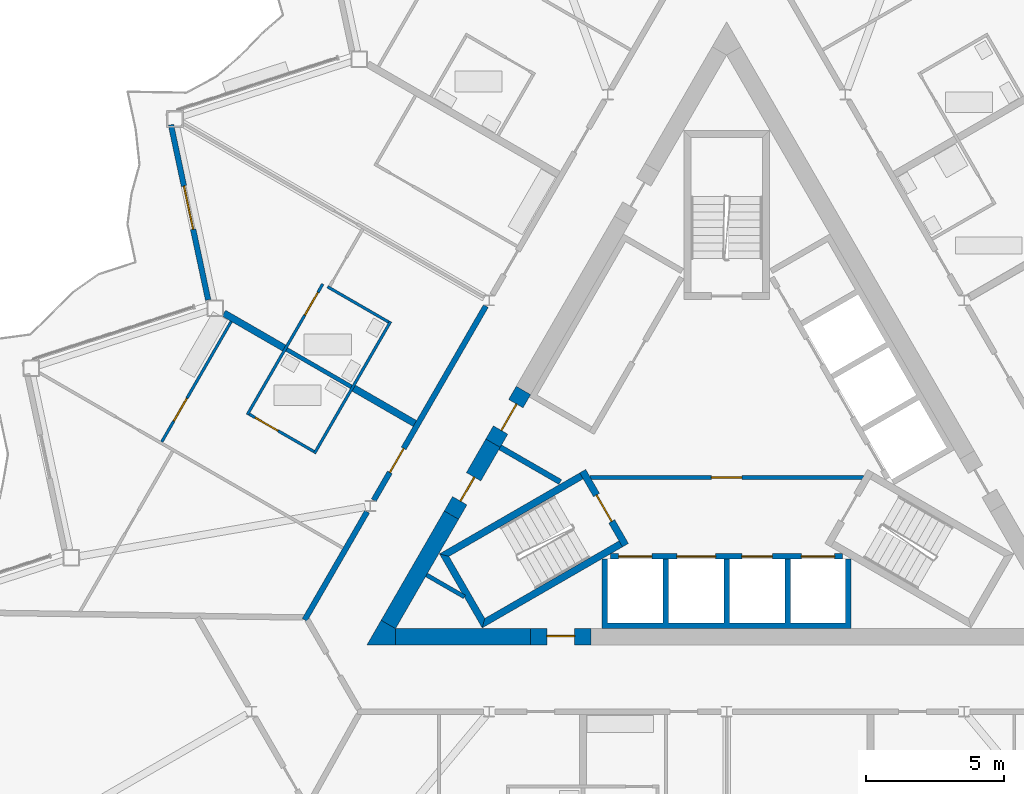
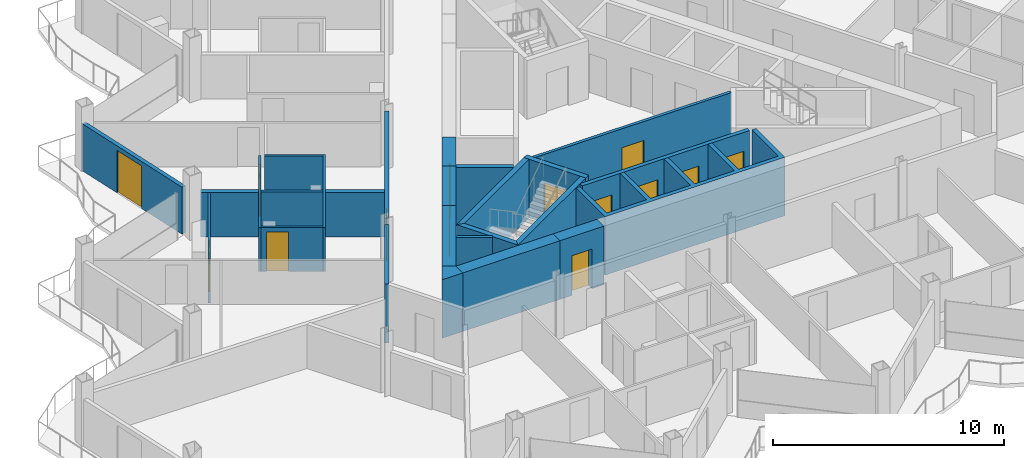
# One storey, part 14 of 26: 26 walls, 14 doors, 14 openings.
"""IFC4 building model written with IfcOpenShell, lengths in metres."""

from ifc_helpers import new_model, si_unit, direction, frame, frame_2d, origin, place, context, subcontext, project, spatial, polyline, rectangle, outline, extrude, material, layer, layer_set, type_object, element, fill, save


model = new_model("IFC4")

# Units and contexts
model_context = context("Model", 3, precision=1e-05, world=origin(), true_north=direction((0.0, 1.0)))
body_context = subcontext(model_context, "Body", "Model", "MODEL_VIEW")
ifc_project = project(units=[si_unit("LENGTHUNIT", "METRE"), si_unit("AREAUNIT", "SQUARE_METRE"), si_unit("VOLUMEUNIT", "CUBIC_METRE"), si_unit("PLANEANGLEUNIT", "RADIAN"), si_unit("MASSUNIT", "GRAM", prefix="KILO")], contexts=[model_context])

# Site, building, storey
site_placement = place(None, origin())
site = spatial("IfcSite", under=ifc_project, at=site_placement, CompositionType="ELEMENT")
building_placement = place(site_placement, origin())
building = spatial("IfcBuilding", under=site, at=building_placement, Name="Cormorant Prow Tower", CompositionType="ELEMENT")
storey_placement = place(building_placement, frame((0.0, 0.0, 322.199951171875)))
storey = spatial("IfcBuildingStorey", under=building, at=storey_placement, Name="L71", CompositionType="ELEMENT", Elevation=322.199951171875)

# Wall, opening, door
ifc_material_1 = material(Name="Gypsum board partition")
ifc_layer_1 = layer(ifc_material_1, 0.14990234375)
ifc_layer_set_1 = layer_set([ifc_layer_1], Name="Gypsum board partition")
wall_type_1 = type_object("IfcWallType", Name="Core partition 150", PredefinedType="PARTITIONING", material=ifc_layer_set_1)
wall_1_placement = place(storey_placement, frame((-4.941162109375, -1.449951171875, 0.0), z_axis=(0.0, 0.0, 1.0), x_axis=(1.0, 0.0, 0.0)))
wall_1 = element("IfcWall", 1, at=wall_1_placement, inside=storey, type_object=wall_type_1, Name="Firefighting lobby partition", PredefinedType="PARTITIONING", context=body_context, shape_type="SweptSolid", body=[
    extrude(rectangle(XDim=9.88232421875, YDim=0.14990234375, at=frame_2d((4.941162109375, 0.0))), origin(), (0.0, 0.0, 1.0), 3.10009765625),
])
opening_1_placement = place(wall_1_placement, frame((4.39111328125, 0.0, 0.0)))
opening_1 = element("IfcOpeningElement", 2, at=opening_1_placement, cuts=wall_1, Name="Opening L71-C10", PredefinedType="OPENING", context=body_context, shape_type="SweptSolid", body=[
    extrude(rectangle(XDim=1.10009765625, YDim=2.10009765625, at=frame_2d((0.550048828125, 1.050048828125))), frame((0.0, 0.0849609375, 0.0), z_axis=(0.0, -1.0, 0.0), x_axis=(1.0, 0.0, 0.0)), (0.0, 0.0, 1.0), 0.169921875),
])
ifc_material_2 = material(Name="Painted steel", Category="steel")
door_type_1 = type_object("IfcDoorType", Name="Firefighting lobby door 1100x2100", OperationType="NOTDEFINED", PredefinedType="DOOR", material=ifc_material_2)
door_1_placement = place(opening_1_placement, origin())
door_1 = element("IfcDoor", 3, at=door_1_placement, inside=storey, type_object=door_type_1, Name="Firefighting lobby door", OperationType="SINGLE_SWING_RIGHT", OverallHeight=2.10009765625, OverallWidth=1.10009765625, PredefinedType="DOOR", context=body_context, shape_type="SweptSolid", body=[
    extrude(rectangle(XDim=1.10009765625, YDim=2.10009765625, at=frame_2d((0.550048828125, 1.050048828125))), frame((0.0, 0.02490234375, 0.0), z_axis=(0.0, -1.0, 0.0), x_axis=(1.0, 0.0, 0.0)), (0.0, 0.0, 1.0), 0.050048828125),
])
fill(opening_1, door_1)

# Walls
wall_2_placement = place(storey_placement, frame((-10.841796875, -4.96728515625, 0.0), z_axis=(0.0, 0.0, 1.0), x_axis=(0.866098216386, -0.499873863663, 0.0)))
element("IfcWall", 4, at=wall_2_placement, inside=storey, type_object=wall_type_1, Name="Service room partition", PredefinedType="PARTITIONING", context=body_context, shape_type="SweptSolid", body=[
    extrude(rectangle(XDim=1.58203125, YDim=0.14990234375, at=frame_2d((0.791015625, 0.0))), origin(), (0.0, 0.0, 1.0), 3.10009765625),
])
ifc_material_3 = material(Name="Concrete 8000 psi", Category="concrete")
ifc_layer_2 = layer(ifc_material_3, 0.60009765625)
ifc_layer_set_2 = layer_set([ifc_layer_2], Name="Concrete 8000 psi")
wall_type_2 = type_object("IfcWallType", Name="Core shear wall 600", PredefinedType="SHEAR", material=ifc_layer_set_2)
wall_3_placement = place(storey_placement, frame((-11.960693359375, -7.20556640625, 0.0), z_axis=(0.0, 0.0, 1.0), x_axis=(1.0, 0.0, 0.0)))
element("IfcWall", 5, at=wall_3_placement, inside=storey, type_object=wall_type_2, Name="Core wall", PredefinedType="SHEAR", context=body_context, shape_type="SweptSolid", body=[
    extrude(rectangle(XDim=4.868408203125, YDim=0.60009765625, at=frame_2d((2.43408203125, 0.0))), origin(), (0.0, 0.0, 1.0), 3.10009765625),
])
wall_4_placement = place(storey_placement, frame((-9.94091796875, -2.80712890625, 0.0), z_axis=(0.0, 0.0, 1.0), x_axis=(-0.500020646047, -0.866013483456, 0.0)))
element("IfcWall", 6, at=wall_4_placement, inside=storey, type_object=wall_type_2, Name="Core wall", PredefinedType="SHEAR", context=body_context, shape_type="SweptSolid", body=[
    extrude(rectangle(XDim=4.559326171875, YDim=0.60009765625, at=frame_2d((2.27978515625, 0.0))), origin(), (0.0, 0.0, 1.0), 3.10009765625),
])
wall_5_placement = place(storey_placement, origin())
element("IfcWall", 7, at=wall_5_placement, inside=storey, type_object=wall_type_2, Name="Core wall corner", PredefinedType="SHEAR", context=body_context, shape_type="SweptSolid", body=[
    extrude(outline(polyline([(-12.48046875, -6.605712890625), (-11.960693359375, -6.905517578125), (-11.960693359375, -7.505615234375), (-13.0, -7.505615234375), (-12.48046875, -6.605712890625)])), origin(), (0.0, 0.0, 1.0), 3.10009765625),
])

# Wall, opening, door
wall_6_placement = place(storey_placement, frame((-7.09228515625, -7.20556640625, 0.0), z_axis=(0.0, 0.0, 1.0), x_axis=(1.0, 0.0, 0.0)))
wall_6 = element("IfcWall", 8, at=wall_6_placement, inside=storey, type_object=wall_type_2, Name="Core wall door panel", PredefinedType="SHEAR", context=body_context, shape_type="SweptSolid", body=[
    extrude(rectangle(XDim=2.2001953125, YDim=0.60009765625, at=frame_2d((1.10009765625, 0.0))), origin(), (0.0, 0.0, 1.0), 3.10009765625),
])
opening_2_placement = place(wall_6_placement, frame((0.60009765625, 0.0, 0.0)))
opening_2 = element("IfcOpeningElement", 9, at=opening_2_placement, cuts=wall_6, Name="Opening L71-C14", PredefinedType="OPENING", context=body_context, shape_type="SweptSolid", body=[
    extrude(rectangle(XDim=1.0, YDim=2.10009765625, at=frame_2d((0.5, 1.050048828125))), frame((0.0, 0.31005859375, 0.0), z_axis=(0.0, -1.0, 0.0), x_axis=(1.0, 0.0, 0.0)), (0.0, 0.0, 1.0), 0.6201171875),
])
ifc_material_4 = material(Name="Painted steel", Category="steel")
door_type_2 = type_object("IfcDoorType", Name="Service door 1000x2100", OperationType="NOTDEFINED", PredefinedType="DOOR", material=ifc_material_4)
door_2_placement = place(opening_2_placement, origin())
door_2 = element("IfcDoor", 10, at=door_2_placement, inside=storey, type_object=door_type_2, Name="Core door, Housekeeping store", OperationType="SINGLE_SWING_LEFT", OverallHeight=2.10009765625, OverallWidth=1.0, PredefinedType="DOOR", context=body_context, shape_type="SweptSolid", body=[
    extrude(rectangle(XDim=1.0, YDim=2.10009765625, at=frame_2d((0.5, 1.050048828125))), frame((0.0, 0.05517578125, 0.0), z_axis=(0.0, -1.0, 0.0), x_axis=(1.0, 0.0, 0.0)), (0.0, 0.0, 1.0), 0.050048828125),
])
fill(opening_2, door_2)

wall_7_placement = place(storey_placement, frame((-8.440185546875, -0.207763671875, 0.0), z_axis=(0.0, 0.0, 1.0), x_axis=(-0.499997052475, -0.866027105532, 0.0)))
wall_7 = element("IfcWall", 11, at=wall_7_placement, inside=storey, type_object=wall_type_2, Name="Core wall door panel", PredefinedType="SHEAR", context=body_context, shape_type="SweptSolid", body=[
    extrude(rectangle(XDim=3.00146484375, YDim=0.60009765625, at=frame_2d((1.500732421875, 0.0))), origin(), (0.0, 0.0, 1.0), 3.10009765625),
])
opening_3_placement = place(wall_7_placement, frame((1.39990234375, 0.0, 0.0)))
opening_3 = element("IfcOpeningElement", 12, at=opening_3_placement, cuts=wall_7, Name="Opening L71-C16", PredefinedType="OPENING", context=body_context, shape_type="SweptSolid", body=[
    extrude(rectangle(XDim=1.0, YDim=2.10009765625, at=frame_2d((0.5, 1.050048828125))), frame((0.0, 0.31005859375, 0.0), z_axis=(0.0, -1.0, 0.0), x_axis=(1.0, 0.0, 0.0)), (0.0, 0.0, 1.0), 0.6201171875),
])
door_3_placement = place(opening_3_placement, origin())
door_3 = element("IfcDoor", 13, at=door_3_placement, inside=storey, type_object=door_type_2, Name="Core door, Linen store", OperationType="SINGLE_SWING_RIGHT", OverallHeight=2.10009765625, OverallWidth=1.0, PredefinedType="DOOR", context=body_context, shape_type="SweptSolid", body=[
    extrude(rectangle(XDim=1.0, YDim=2.10009765625, at=frame_2d((0.5, 1.050048828125))), frame((0.0, 0.05517578125, 0.0), z_axis=(0.0, -1.0, 0.0), x_axis=(1.0, 0.0, 0.0)), (0.0, 0.0, 1.0), 0.050048828125),
])
fill(opening_3, door_3)

wall_8_placement = place(storey_placement, frame((-7.340087890625, 1.697509765625, 0.0), z_axis=(0.0, 0.0, 1.0), x_axis=(-0.50002983664, -0.866008176907, 0.0)))
wall_8 = element("IfcWall", 14, at=wall_8_placement, inside=storey, type_object=wall_type_2, Name="Core wall door panel", PredefinedType="SHEAR", context=body_context, shape_type="SweptSolid", body=[
    extrude(rectangle(XDim=2.199951171875, YDim=0.60009765625, at=frame_2d((1.10009765625, 0.0))), origin(), (0.0, 0.0, 1.0), 3.10009765625),
])
opening_4_placement = place(wall_8_placement, frame((0.550048828125, 0.0, 0.0)))
opening_4 = element("IfcOpeningElement", 15, at=opening_4_placement, cuts=wall_8, Name="Opening L71-C18", PredefinedType="OPENING", context=body_context, shape_type="SweptSolid", body=[
    extrude(rectangle(XDim=1.10009765625, YDim=2.10009765625, at=frame_2d((0.550048828125, 1.050048828125))), frame((0.0, 0.31005859375, 0.0), z_axis=(0.0, -1.0, 0.0), x_axis=(1.0, 0.0, 0.0)), (0.0, 0.0, 1.0), 0.6201171875),
])
ifc_material_5 = material(Name="Painted steel", Category="steel")
door_type_3 = type_object("IfcDoorType", Name="Core door 1100x2100", OperationType="NOTDEFINED", PredefinedType="DOOR", material=ifc_material_5)
door_4_placement = place(opening_4_placement, origin())
door_4 = element("IfcDoor", 16, at=door_4_placement, inside=storey, type_object=door_type_3, Name="Core door, lift lobby", OperationType="SINGLE_SWING_RIGHT", OverallHeight=2.10009765625, OverallWidth=1.10009765625, PredefinedType="DOOR", context=body_context, shape_type="SweptSolid", body=[
    extrude(rectangle(XDim=1.10009765625, YDim=2.10009765625, at=frame_2d((0.550048828125, 1.050048828125))), frame((0.0, 0.05517578125, 0.0), z_axis=(0.0, -1.0, 0.0), x_axis=(1.0, 0.0, 0.0)), (0.0, 0.0, 1.0), 0.050048828125),
])
fill(opening_4, door_4)

ifc_material_6 = material(Name="Gypsum board corridor wall")
ifc_layer_3 = layer(ifc_material_6, 0.199951171875)
ifc_layer_set_3 = layer_set([ifc_layer_3], Name="Gypsum board corridor wall")
wall_type_3 = type_object("IfcWallType", Name="Corridor wall 200", PredefinedType="PARTITIONING", material=ifc_layer_set_3)
wall_9_placement = place(storey_placement, frame((-12.747802734375, -2.268798828125, 0.0), z_axis=(0.0, 0.0, 1.0), x_axis=(0.499984266882, 0.866034487114, 0.0)))
wall_9 = element("IfcWall", 17, at=wall_9_placement, inside=storey, type_object=wall_type_3, Name="Corridor wall", PredefinedType="PARTITIONING", context=body_context, shape_type="SweptSolid", body=[
    extrude(rectangle(XDim=8.098876953125, YDim=0.199951171875, at=frame_2d((4.04931640625, 0.0))), origin(), (0.0, 0.0, 1.0), 3.10009765625),
])
opening_5_placement = place(wall_9_placement, frame((1.16357421875, 0.0, 0.0)))
opening_5 = element("IfcOpeningElement", 18, at=opening_5_placement, cuts=wall_9, Name="Opening L71-F49", PredefinedType="OPENING", context=body_context, shape_type="SweptSolid", body=[
    extrude(rectangle(XDim=1.0, YDim=2.10009765625, at=frame_2d((0.5, 1.050048828125))), frame((0.0, 0.10986328125, 0.0), z_axis=(0.0, -1.0, 0.0), x_axis=(1.0, 0.0, 0.0)), (0.0, 0.0, 1.0), 0.219970703125),
])
ifc_material_7 = material(Name="Timber door leaf", Category="wood")
door_type_4 = type_object("IfcDoorType", Name="Flat or room entrance door 1000x2100", OperationType="NOTDEFINED", PredefinedType="DOOR", material=ifc_material_7)
door_5_placement = place(opening_5_placement, origin())
door_5 = element("IfcDoor", 19, at=door_5_placement, inside=storey, type_object=door_type_4, Name="Living room door", OperationType="SINGLE_SWING_RIGHT", OverallHeight=2.10009765625, OverallWidth=1.0, PredefinedType="DOOR", context=body_context, shape_type="SweptSolid", body=[
    extrude(rectangle(XDim=1.0, YDim=2.10009765625, at=frame_2d((0.5, 1.050048828125))), frame((0.0, 0.02490234375, 0.0), z_axis=(0.0, -1.0, 0.0), x_axis=(1.0, 0.0, 0.0)), (0.0, 0.0, 1.0), 0.050048828125),
])
fill(opening_5, door_5)

# Wall
wall_10_placement = place(storey_placement, frame((-15.243896484375, -6.59228515625, 0.0), z_axis=(0.0, 0.0, 1.0), x_axis=(0.49999094734, 0.866030630277, 0.0)))
element("IfcWall", 20, at=wall_10_placement, inside=storey, type_object=wall_type_3, Name="Corridor wall", PredefinedType="PARTITIONING", context=body_context, shape_type="SweptSolid", body=[
    extrude(rectangle(XDim=4.5126953125, YDim=0.199951171875, at=frame_2d((2.25634765625, 0.0))), origin(), (0.0, 0.0, 1.0), 3.10009765625),
])

# Wall, opening, door
ifc_material_8 = material(Name="Gypsum board partition")
ifc_layer_4 = layer(ifc_material_8, 0.10009765625)
ifc_layer_set_4 = layer_set([ifc_layer_4], Name="Gypsum board partition")
wall_type_4 = type_object("IfcWallType", Name="Internal partition 100", PredefinedType="PARTITIONING", material=ifc_layer_set_4)
wall_11_placement = place(storey_placement, frame((-17.31396484375, 0.822509765625, 0.0), z_axis=(0.0, 0.0, 1.0), x_axis=(0.499988730927, 0.866031909889, 0.0)))
wall_11 = element("IfcWall", 21, at=wall_11_placement, inside=storey, type_object=wall_type_4, Name="Internal partition", PredefinedType="PARTITIONING", context=body_context, shape_type="SweptSolid", body=[
    extrude(rectangle(XDim=5.449951171875, YDim=0.10009765625, at=frame_2d((2.72509765625, 0.0))), origin(), (0.0, 0.0, 1.0), 2.330078125),
])
opening_6_placement = place(wall_11_placement, frame((4.14990234375, 0.0, 0.0)))
opening_6 = element("IfcOpeningElement", 22, at=opening_6_placement, cuts=wall_11, Name="Opening L71-F48", PredefinedType="OPENING", context=body_context, shape_type="SweptSolid", body=[
    extrude(rectangle(XDim=0.949951171875, YDim=2.10009765625, at=frame_2d((0.47509765625, 1.050048828125))), frame((0.0, 0.06005859375, 0.0), z_axis=(0.0, -1.0, 0.0), x_axis=(1.0, 0.0, 0.0)), (0.0, 0.0, 1.0), 0.1201171875),
])
ifc_material_9 = material(Name="Timber door leaf", Category="wood")
door_type_5 = type_object("IfcDoorType", Name="Bathroom door 950x2100", OperationType="NOTDEFINED", PredefinedType="DOOR", material=ifc_material_9)
door_6_placement = place(opening_6_placement, origin())
door_6 = element("IfcDoor", 23, at=door_6_placement, inside=storey, type_object=door_type_5, Name="Bedroom door", OperationType="SINGLE_SWING_RIGHT", OverallHeight=2.10009765625, OverallWidth=0.949951171875, PredefinedType="DOOR", context=body_context, shape_type="SweptSolid", body=[
    extrude(rectangle(XDim=0.949951171875, YDim=2.10009765625, at=frame_2d((0.47509765625, 1.050048828125))), frame((0.0, 0.02490234375, 0.0), z_axis=(0.0, -1.0, 0.0), x_axis=(1.0, 0.0, 0.0)), (0.0, 0.0, 1.0), 0.050048828125),
])
fill(opening_6, door_6)

# Wall
wall_12_placement = place(storey_placement, frame((-14.88916015625, -0.577392578125, 0.0), z_axis=(0.0, 0.0, 1.0), x_axis=(0.500015767406, 0.866016300277, 0.0)))
element("IfcWall", 24, at=wall_12_placement, inside=storey, type_object=wall_type_4, Name="Internal partition", PredefinedType="PARTITIONING", context=body_context, shape_type="SweptSolid", body=[
    extrude(rectangle(XDim=5.499755859375, YDim=0.10009765625, at=frame_2d((2.75, 0.0))), origin(), (0.0, 0.0, 1.0), 2.330078125),
])

# Wall, opening, door
wall_13_placement = place(storey_placement, frame((-20.404541015625, -0.158203125, 0.0), z_axis=(0.0, 0.0, 1.0), x_axis=(0.499989096993, 0.866031698547, 0.0)))
wall_13 = element("IfcWall", 25, at=wall_13_placement, inside=storey, type_object=wall_type_4, Name="Internal partition", PredefinedType="PARTITIONING", context=body_context, shape_type="SweptSolid", body=[
    extrude(rectangle(XDim=5.01953125, YDim=0.10009765625, at=frame_2d((2.509765625, 0.0))), origin(), (0.0, 0.0, 1.0), 2.330078125),
])
opening_7_placement = place(wall_13_placement, frame((0.862060546875, 0.0, 0.0)))
opening_7 = element("IfcOpeningElement", 26, at=opening_7_placement, cuts=wall_13, Name="Opening L71-F51", PredefinedType="OPENING", context=body_context, shape_type="SweptSolid", body=[
    extrude(rectangle(XDim=0.949951171875, YDim=2.10009765625, at=frame_2d((0.47509765625, 1.050048828125))), frame((0.0, 0.06005859375, 0.0), z_axis=(0.0, -1.0, 0.0), x_axis=(1.0, 0.0, 0.0)), (0.0, 0.0, 1.0), 0.1201171875),
])
door_7_placement = place(opening_7_placement, origin())
door_7 = element("IfcDoor", 27, at=door_7_placement, inside=storey, type_object=door_type_5, Name="Living room door", OperationType="SINGLE_SWING_LEFT", OverallHeight=2.10009765625, OverallWidth=0.949951171875, PredefinedType="DOOR", context=body_context, shape_type="SweptSolid", body=[
    extrude(rectangle(XDim=0.949951171875, YDim=2.10009765625, at=frame_2d((0.47509765625, 1.050048828125))), frame((0.0, 0.02490234375, 0.0), z_axis=(0.0, -1.0, 0.0), x_axis=(1.0, 0.0, 0.0)), (0.0, 0.0, 1.0), 0.050048828125),
])
fill(opening_7, door_7)

wall_14_placement = place(storey_placement, frame((-17.24560546875, 0.8408203125, 0.0), z_axis=(0.0, 0.0, 1.0), x_axis=(0.86599734893, -0.500048589285, 0.0)))
wall_14 = element("IfcWall", 28, at=wall_14_placement, inside=storey, type_object=wall_type_4, Name="Internal partition", PredefinedType="PARTITIONING", context=body_context, shape_type="SweptSolid", body=[
    extrude(rectangle(XDim=2.699951171875, YDim=0.10009765625, at=frame_2d((1.35009765625, 0.0))), origin(), (0.0, 0.0, 1.0), 2.330078125),
])
opening_8_placement = place(wall_14_placement, frame((0.25, 0.0, 0.0)))
opening_8 = element("IfcOpeningElement", 29, at=opening_8_placement, cuts=wall_14, Name="Opening L71-F50", PredefinedType="OPENING", context=body_context, shape_type="SweptSolid", body=[
    extrude(rectangle(XDim=0.949951171875, YDim=2.10009765625, at=frame_2d((0.47509765625, 1.050048828125))), frame((0.0, 0.06005859375, 0.0), z_axis=(0.0, -1.0, 0.0), x_axis=(1.0, 0.0, 0.0)), (0.0, 0.0, 1.0), 0.1201171875),
])
door_8_placement = place(opening_8_placement, origin())
door_8 = element("IfcDoor", 30, at=door_8_placement, inside=storey, type_object=door_type_5, Name="Living room door", OperationType="SINGLE_SWING_LEFT", OverallHeight=2.10009765625, OverallWidth=0.949951171875, PredefinedType="DOOR", context=body_context, shape_type="SweptSolid", body=[
    extrude(rectangle(XDim=0.949951171875, YDim=2.10009765625, at=frame_2d((0.47509765625, 1.050048828125))), frame((0.0, 0.02490234375, 0.0), z_axis=(0.0, -1.0, 0.0), x_axis=(1.0, 0.0, 0.0)), (0.0, 0.0, 1.0), 0.050048828125),
])
fill(opening_8, door_8)

# Wall
wall_15_placement = place(storey_placement, frame((-14.41748046875, 5.443359375, 0.0), z_axis=(0.0, 0.0, 1.0), x_axis=(0.865991210529, -0.500059219779, 0.0)))
element("IfcWall", 31, at=wall_15_placement, inside=storey, type_object=wall_type_4, Name="Internal partition", PredefinedType="PARTITIONING", context=body_context, shape_type="SweptSolid", body=[
    extrude(rectangle(XDim=2.552001953125, YDim=0.10009765625, at=frame_2d((1.27587890625, 0.0))), origin(), (0.0, 0.0, 1.0), 2.330078125),
])

# Wall, openings, doors
ifc_material_10 = material(Name="Concrete 5000 psi", Category="concrete")
ifc_layer_5 = layer(ifc_material_10, 0.199951171875)
ifc_layer_set_5 = layer_set([ifc_layer_5], Name="Concrete 5000 psi")
wall_type_5 = type_object("IfcWallType", Name="Lift lobby wall 200", PredefinedType="SOLIDWALL", material=ifc_layer_set_5)
wall_16_placement = place(storey_placement, frame((-4.1865234375, -4.300048828125, 0.0), z_axis=(0.0, 0.0, 1.0), x_axis=(1.0, 0.0, 0.0)))
wall_16 = element("IfcWall", 32, at=wall_16_placement, inside=storey, type_object=wall_type_5, Name="Lift lobby wall, S block", PredefinedType="SOLIDWALL", context=body_context, shape_type="SweptSolid", body=[
    extrude(rectangle(XDim=8.373046875, YDim=0.199951171875, at=frame_2d((4.1865234375, 0.0))), origin(), (0.0, 0.0, 1.0), 3.10009765625),
])
opening_9_placement = place(wall_16_placement, frame((0.28662109375, 0.0, 0.0)))
opening_9 = element("IfcOpeningElement", 33, at=opening_9_placement, cuts=wall_16, Name="Opening L71-C01", PredefinedType="OPENING", context=body_context, shape_type="SweptSolid", body=[
    extrude(rectangle(XDim=1.199951171875, YDim=2.10009765625, at=frame_2d((0.60009765625, 1.050048828125))), frame((0.0, 0.10986328125, 0.0), z_axis=(0.0, -1.0, 0.0), x_axis=(1.0, 0.0, 0.0)), (0.0, 0.0, 1.0), 0.219970703125),
])
opening_10_placement = place(wall_16_placement, frame((2.38671875, 0.0, 0.0)))
opening_10 = element("IfcOpeningElement", 34, at=opening_10_placement, cuts=wall_16, Name="Opening L71-C02", PredefinedType="OPENING", context=body_context, shape_type="SweptSolid", body=[
    extrude(rectangle(XDim=1.39990234375, YDim=2.10009765625, at=frame_2d((0.699951171875, 1.050048828125))), frame((0.0, 0.10986328125, 0.0), z_axis=(0.0, -1.0, 0.0), x_axis=(1.0, 0.0, 0.0)), (0.0, 0.0, 1.0), 0.219970703125),
])
opening_11_placement = place(wall_16_placement, frame((4.736572265625, 0.0, 0.0)))
opening_11 = element("IfcOpeningElement", 35, at=opening_11_placement, cuts=wall_16, Name="Opening L71-C03", PredefinedType="OPENING", context=body_context, shape_type="SweptSolid", body=[
    extrude(rectangle(XDim=1.10009765625, YDim=2.10009765625, at=frame_2d((0.550048828125, 1.050048828125))), frame((0.0, 0.10986328125, 0.0), z_axis=(0.0, -1.0, 0.0), x_axis=(1.0, 0.0, 0.0)), (0.0, 0.0, 1.0), 0.219970703125),
])
opening_12_placement = place(wall_16_placement, frame((6.88671875, 0.0, 0.0)))
opening_12 = element("IfcOpeningElement", 36, at=opening_12_placement, cuts=wall_16, Name="Opening L71-C04", PredefinedType="OPENING", context=body_context, shape_type="SweptSolid", body=[
    extrude(rectangle(XDim=1.199951171875, YDim=2.10009765625, at=frame_2d((0.60009765625, 1.050048828125))), frame((0.0, 0.10986328125, 0.0), z_axis=(0.0, -1.0, 0.0), x_axis=(1.0, 0.0, 0.0)), (0.0, 0.0, 1.0), 0.219970703125),
])
ifc_material_11 = material(Name="Painted steel", Category="steel")
door_type_6 = type_object("IfcDoorType", Name="Firefighting lift landing door 1200x2100", OperationType="SLIDING_TO_LEFT", PredefinedType="DOOR", material=ifc_material_11)
door_9_placement = place(opening_9_placement, origin())
door_9 = element("IfcDoor", 37, at=door_9_placement, inside=storey, type_object=door_type_6, Name="Landing door FL1", OperationType="SLIDING_TO_LEFT", OverallHeight=2.10009765625, OverallWidth=1.199951171875, PredefinedType="DOOR", context=body_context, shape_type="SweptSolid", body=[
    extrude(rectangle(XDim=1.199951171875, YDim=2.10009765625, at=frame_2d((0.60009765625, 1.050048828125))), frame((0.0, 0.02490234375, 0.0), z_axis=(0.0, -1.0, 0.0), x_axis=(1.0, 0.0, 0.0)), (0.0, 0.0, 1.0), 0.050048828125),
])
fill(opening_9, door_9)
door_10_placement = place(opening_12_placement, origin())
door_10 = element("IfcDoor", 38, at=door_10_placement, inside=storey, type_object=door_type_6, Name="Landing door FL2", OperationType="SLIDING_TO_LEFT", OverallHeight=2.10009765625, OverallWidth=1.199951171875, PredefinedType="DOOR", context=body_context, shape_type="SweptSolid", body=[
    extrude(rectangle(XDim=1.199951171875, YDim=2.10009765625, at=frame_2d((0.60009765625, 1.050048828125))), frame((0.0, 0.02490234375, 0.0), z_axis=(0.0, -1.0, 0.0), x_axis=(1.0, 0.0, 0.0)), (0.0, 0.0, 1.0), 0.050048828125),
])
fill(opening_12, door_10)
ifc_material_12 = material(Name="Painted steel", Category="steel")
door_type_7 = type_object("IfcDoorType", Name="Lift landing door 1100x2100", OperationType="SLIDING_TO_LEFT", PredefinedType="DOOR", material=ifc_material_12)
door_11_placement = place(opening_11_placement, origin())
door_11 = element("IfcDoor", 39, at=door_11_placement, inside=storey, type_object=door_type_7, Name="Landing door HR1", OperationType="SLIDING_TO_LEFT", OverallHeight=2.10009765625, OverallWidth=1.10009765625, PredefinedType="DOOR", context=body_context, shape_type="SweptSolid", body=[
    extrude(rectangle(XDim=1.10009765625, YDim=2.10009765625, at=frame_2d((0.550048828125, 1.050048828125))), frame((0.0, 0.02490234375, 0.0), z_axis=(0.0, -1.0, 0.0), x_axis=(1.0, 0.0, 0.0)), (0.0, 0.0, 1.0), 0.050048828125),
])
fill(opening_11, door_11)
ifc_material_13 = material(Name="Painted steel", Category="steel")
door_type_8 = type_object("IfcDoorType", Name="Service lift landing door 1400x2100", OperationType="SLIDING_TO_LEFT", PredefinedType="DOOR", material=ifc_material_13)
door_12_placement = place(opening_10_placement, origin())
door_12 = element("IfcDoor", 40, at=door_12_placement, inside=storey, type_object=door_type_8, Name="Landing door SL1", OperationType="SLIDING_TO_LEFT", OverallHeight=2.10009765625, OverallWidth=1.39990234375, PredefinedType="DOOR", context=body_context, shape_type="SweptSolid", body=[
    extrude(rectangle(XDim=1.39990234375, YDim=2.10009765625, at=frame_2d((0.699951171875, 1.050048828125))), frame((0.0, 0.02490234375, 0.0), z_axis=(0.0, -1.0, 0.0), x_axis=(1.0, 0.0, 0.0)), (0.0, 0.0, 1.0), 0.050048828125),
])
fill(opening_10, door_12)

# Walls
ifc_material_14 = material(Name="Concrete 8000 psi", Category="concrete")
ifc_layer_6 = layer(ifc_material_14, 0.199951171875)
ifc_layer_set_6 = layer_set([ifc_layer_6], Name="Concrete 8000 psi")
wall_type_6 = type_object("IfcWallType", Name="Lift shaft wall 200", PredefinedType="SHEAR", material=ifc_layer_set_6)
wall_17_placement = place(storey_placement, origin())
element("IfcWall", 41, at=wall_17_placement, inside=storey, type_object=wall_type_6, Name="Lift shaft walls, S block", PredefinedType="SHEAR", context=body_context, shape_type="SweptSolid", body=[
    extrude(outline(polyline([(4.5, -4.39990234375), (4.5, -6.906005859375), (-4.5, -6.906005859375), (-4.5, -4.39990234375), (-4.300048828125, -4.39990234375), (-4.300048828125, -6.699951171875), (-2.300048828125, -6.699951171875), (-2.300048828125, -4.39990234375), (-2.10009765625, -4.39990234375), (-2.10009765625, -6.699951171875), (-0.10009765625, -6.699951171875), (-0.10009765625, -4.39990234375), (0.10009765625, -4.39990234375), (0.10009765625, -6.699951171875), (2.10009765625, -6.699951171875), (2.10009765625, -4.39990234375), (2.300048828125, -4.39990234375), (2.300048828125, -6.699951171875), (4.300048828125, -6.699951171875), (4.300048828125, -4.39990234375), (4.5, -4.39990234375)])), origin(), (0.0, 0.0, 1.0), 3.10009765625),
])
wall_18_placement = place(storey_placement, origin())
element("IfcWall", 42, at=wall_18_placement, inside=storey, type_object=wall_type_6, Name="Lift shaft walls, WNW block", PredefinedType="SHEAR", context=body_context, shape_type="SweptSolid", body=[
    extrude(outline(polyline([(-6.060546875, -1.697021484375), (-8.230712890625, -0.444091796875), (-8.130859375, -0.27099609375), (-5.96044921875, -1.52392578125), (-6.060546875, -1.697021484375)])), origin(), (0.0, 0.0, 1.0), 3.10009765625),
])
ifc_material_15 = material(Name="Concrete 8000 psi", Category="concrete")
ifc_layer_7 = layer(ifc_material_15, 0.25)
ifc_layer_set_7 = layer_set([ifc_layer_7], Name="Concrete 8000 psi")
wall_type_7 = type_object("IfcWallType", Name="Stair wall 250", PredefinedType="SHEAR", material=ifc_layer_set_7)
wall_19_placement = place(storey_placement, origin())
element("IfcWall", 43, at=wall_19_placement, inside=storey, type_object=wall_type_7, Name="Stair ST1 enclosure wall (flank)", PredefinedType="SHEAR", context=body_context, shape_type="SweptSolid", body=[
    extrude(outline(polyline([(-5.30712890625, -1.28125), (-10.37353515625, -4.206298828125), (-10.031982421875, -4.2978515625), (-5.18212890625, -1.497802734375), (-5.30712890625, -1.28125)])), origin(), (0.0, 0.0, 1.0), 3.10009765625),
])
wall_20_placement = place(storey_placement, origin())
element("IfcWall", 44, at=wall_20_placement, inside=storey, type_object=wall_type_7, Name="Stair ST1 enclosure wall (end)", PredefinedType="SHEAR", context=body_context, shape_type="SweptSolid", body=[
    extrude(outline(polyline([(-10.37353515625, -4.206298828125), (-8.82958984375, -6.880615234375), (-8.738037109375, -6.5390625), (-10.031982421875, -4.2978515625), (-10.37353515625, -4.206298828125)])), origin(), (0.0, 0.0, 1.0), 3.10009765625),
])
wall_21_placement = place(storey_placement, origin())
element("IfcWall", 45, at=wall_21_placement, inside=storey, type_object=wall_type_7, Name="Stair ST1 enclosure wall (flank)", PredefinedType="SHEAR", context=body_context, shape_type="SweptSolid", body=[
    extrude(outline(polyline([(-8.738037109375, -6.5390625), (-8.82958984375, -6.880615234375), (-3.76318359375, -3.95556640625), (-3.88818359375, -3.739013671875), (-8.738037109375, -6.5390625)])), origin(), (0.0, 0.0, 1.0), 3.10009765625),
])

# Wall, opening, door
wall_22_placement = place(storey_placement, frame((-5.198974609375, -1.21875, 0.0), z_axis=(0.0, 0.0, 1.0), x_axis=(0.499982516597, -0.866035497597, 0.0)))
wall_22 = element("IfcWall", 46, at=wall_22_placement, inside=storey, type_object=wall_type_7, Name="Stair ST1 door wall", PredefinedType="SHEAR", context=body_context, shape_type="SweptSolid", body=[
    extrude(rectangle(XDim=3.087890625, YDim=0.25, at=frame_2d((1.5439453125, 0.0))), origin(), (0.0, 0.0, 1.0), 3.10009765625),
])
opening_13_placement = place(wall_22_placement, frame((0.993896484375, 0.0, 0.0)))
opening_13 = element("IfcOpeningElement", 47, at=opening_13_placement, cuts=wall_22, Name="Opening L71-C11", PredefinedType="OPENING", context=body_context, shape_type="SweptSolid", body=[
    extrude(rectangle(XDim=1.10009765625, YDim=2.10009765625, at=frame_2d((0.550048828125, 1.050048828125))), frame((0.0, 0.135009765625, 0.0), z_axis=(0.0, -1.0, 0.0), x_axis=(1.0, 0.0, 0.0)), (0.0, 0.0, 1.0), 0.27001953125),
])
ifc_material_16 = material(Name="Painted steel", Category="steel")
door_type_9 = type_object("IfcDoorType", Name="Stair door 1100x2100", OperationType="NOTDEFINED", PredefinedType="DOOR", material=ifc_material_16)
door_13_placement = place(opening_13_placement, origin())
door_13 = element("IfcDoor", 48, at=door_13_placement, inside=storey, type_object=door_type_9, Name="Stair ST1 door", OperationType="SINGLE_SWING_LEFT", OverallHeight=2.10009765625, OverallWidth=1.10009765625, PredefinedType="DOOR", context=body_context, shape_type="SweptSolid", body=[
    extrude(rectangle(XDim=1.10009765625, YDim=2.10009765625, at=frame_2d((0.550048828125, 1.050048828125))), frame((0.0, 0.02490234375, 0.0), z_axis=(0.0, -1.0, 0.0), x_axis=(1.0, 0.0, 0.0)), (0.0, 0.0, 1.0), 0.050048828125),
])
fill(opening_13, door_13)

# Walls
ifc_material_17 = material(Name="Acoustic gypsum party wall")
ifc_layer_8 = layer(ifc_material_17, 0.25)
ifc_layer_set_8 = layer_set([ifc_layer_8], Name="Acoustic gypsum party wall")
wall_type_8 = type_object("IfcWallType", Name="Suite party wall 250", PredefinedType="PARTITIONING", material=ifc_layer_set_8)
wall_23_placement = place(storey_placement, frame((-13.470703125, 1.779052734375, 0.0), z_axis=(0.0, 0.0, 1.0), x_axis=(0.865989465428, -0.500062241894, 0.0)))
element("IfcWall", 49, at=wall_23_placement, inside=storey, type_object=wall_type_8, Name="Suite party wall", PredefinedType="PARTITIONING", context=body_context, shape_type="SweptSolid", body=[
    extrude(rectangle(XDim=2.550048828125, YDim=0.25, at=frame_2d((1.27490234375, 0.0))), origin(), (0.0, 0.0, 1.0), 2.330078125),
])
wall_24_placement = place(storey_placement, frame((-18.160888671875, 4.48681640625, 0.0), z_axis=(0.0, 0.0, 1.0), x_axis=(0.866012646713, -0.500022095245, 0.0)))
element("IfcWall", 50, at=wall_24_placement, inside=storey, type_object=wall_type_8, Name="Suite party wall", PredefinedType="PARTITIONING", context=body_context, shape_type="SweptSolid", body=[
    extrude(rectangle(XDim=2.515625, YDim=0.25, at=frame_2d((1.2578125, 0.0))), origin(), (0.0, 0.0, 1.0), 2.330078125),
])

# Wall, opening, door
ifc_material_18 = material(Name="Terracotta", Category="masonry")
ifc_layer_9 = layer(ifc_material_18, 0.199951171875)
ifc_layer_set_9 = layer_set([ifc_layer_9], Name="Terracotta")
wall_type_9 = type_object("IfcWallType", Name="Terracotta jamb wall 200", PredefinedType="SOLIDWALL", material=ifc_layer_set_9)
wall_25_placement = place(storey_placement, frame((-20.072998046875, 11.2939453125, 0.0), z_axis=(0.0, 0.0, 1.0), x_axis=(0.207893978909, -0.978151365349, 0.0)))
wall_25 = element("IfcWall", 51, at=wall_25_placement, inside=storey, type_object=wall_type_9, Name="Terracotta jamb wall WNW05", PredefinedType="SOLIDWALL", context=body_context, shape_type="SweptSolid", body=[
    extrude(rectangle(XDim=6.466064453125, YDim=0.199951171875, at=frame_2d((3.23291015625, 0.0))), origin(), (0.0, 0.0, 1.0), 2.488037109375),
])
opening_14_placement = place(wall_25_placement, frame((2.260986328125, 0.0, 0.0)))
opening_14 = element("IfcOpeningElement", 52, at=opening_14_placement, cuts=wall_25, Name="Opening ED71.13", PredefinedType="OPENING", context=body_context, shape_type="SweptSolid", body=[
    extrude(rectangle(XDim=1.60009765625, YDim=2.25, at=frame_2d((0.800048828125, 1.125))), frame((0.0, 0.10986328125, 0.0), z_axis=(0.0, -1.0, 0.0), x_axis=(1.0, 0.0, 0.0)), (0.0, 0.0, 1.0), 0.219970703125),
])
ifc_material_19 = material(Name="Aluminium 6063-T6", Category="aluminium")
door_type_10 = type_object("IfcDoorType", Name="Balcony door 1600x2250", OperationType="DOUBLE_DOOR_SINGLE_SWING", PredefinedType="DOOR", material=ifc_material_19)
door_14_placement = place(opening_14_placement, origin())
door_14 = element("IfcDoor", 53, at=door_14_placement, inside=storey, type_object=door_type_10, Name="Balcony door WNW05 ED71.13", OperationType="DOUBLE_DOOR_SINGLE_SWING", OverallHeight=2.25, OverallWidth=1.60009765625, PredefinedType="DOOR", context=body_context, shape_type="SweptSolid", body=[
    extrude(rectangle(XDim=1.60009765625, YDim=2.25, at=frame_2d((0.800048828125, 1.125))), frame((0.0, 0.02490234375, 0.0), z_axis=(0.0, -1.0, 0.0), x_axis=(1.0, 0.0, 0.0)), (0.0, 0.0, 1.0), 0.050048828125),
])
fill(opening_14, door_14)

# Wall
ifc_material_20 = material(Name="Plasterboard wet wall with pipe chase")
ifc_layer_10 = layer(ifc_material_20, 0.14990234375)
ifc_layer_set_10 = layer_set([ifc_layer_10], Name="Plasterboard wet wall with pipe chase")
wall_type_10 = type_object("IfcWallType", Name="Wet wall 150", PredefinedType="PLUMBINGWALL", material=ifc_layer_set_10)
wall_26_placement = place(storey_placement, frame((-15.895751953125, 3.178955078125, 0.0), z_axis=(0.0, 0.0, 1.0), x_axis=(0.866059108428, -0.4999416173, 0.0)))
element("IfcWall", 54, at=wall_26_placement, inside=storey, type_object=wall_type_10, Name="Wet wall", PredefinedType="PLUMBINGWALL", context=body_context, shape_type="SweptSolid", body=[
    extrude(rectangle(XDim=2.699951171875, YDim=0.14990234375, at=frame_2d((1.35009765625, 0.0))), origin(), (0.0, 0.0, 1.0), 2.330078125),
])

save(model, "model.ifc")
